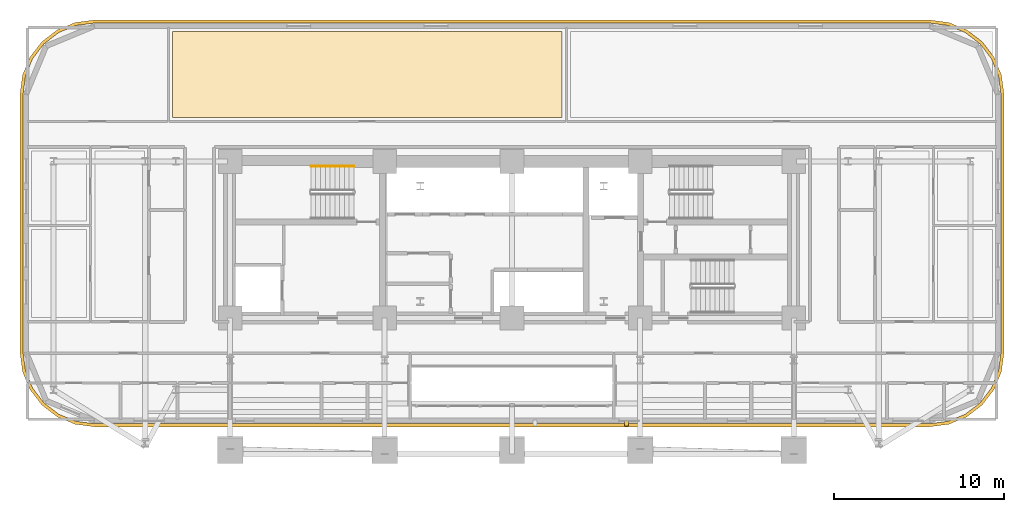
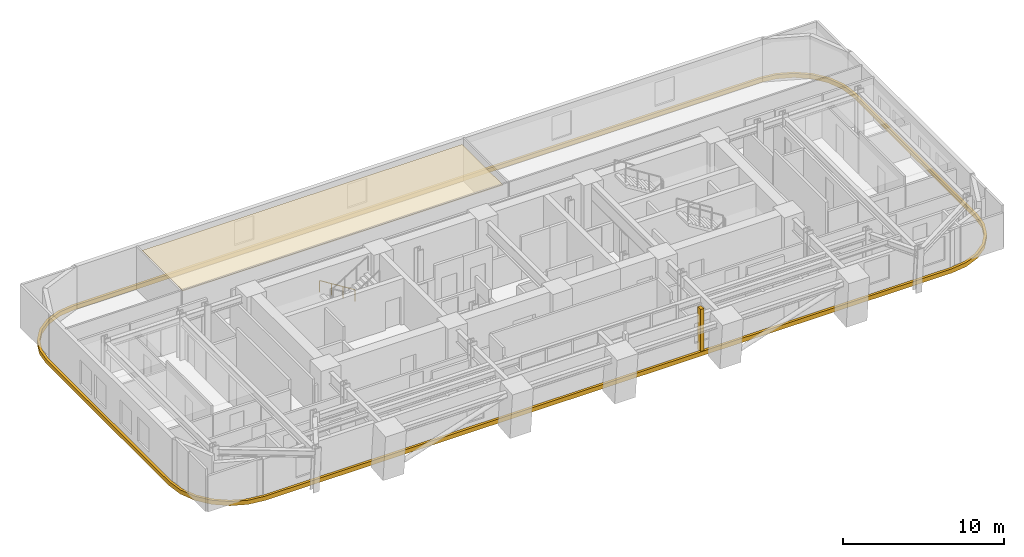
# One storey, part 14 of 15: 3 coverings, 1 railing.
"""IFC4 building model written with IfcOpenShell, lengths in metres."""

from ifc_helpers import new_model, si_unit, direction, frame, origin, origin_2d, place, context, subcontext, project, spatial, polyline, rectangle, outline, extrude, material, layer, layer_set, type_object, element, save


model = new_model("IFC4")

# Units and contexts
model_context = context("Model", 3, precision=1e-05, world=origin(), true_north=direction((0.0, 1.0)))
body_context = subcontext(model_context, "Body", "Model", "MODEL_VIEW")
ifc_project = project(units=[si_unit("LENGTHUNIT", "METRE"), si_unit("AREAUNIT", "SQUARE_METRE"), si_unit("VOLUMEUNIT", "CUBIC_METRE"), si_unit("PLANEANGLEUNIT", "RADIAN"), si_unit("MASSUNIT", "GRAM", prefix="KILO")], contexts=[model_context])

# Site, building, storey
site_placement = place(None, origin())
site = spatial("IfcSite", under=ifc_project, at=site_placement, CompositionType="ELEMENT")
building_placement = place(site_placement, origin())
building = spatial("IfcBuilding", under=site, at=building_placement, Name="Zarnavel Station Tower", CompositionType="ELEMENT")
storey_placement = place(building_placement, frame((0.0, 0.0, 67.5)))
storey = spatial("IfcBuildingStorey", under=building, at=storey_placement, Name="L18", CompositionType="ELEMENT", Elevation=67.5)

# Coverings
ifc_material_1 = material(Name="Perforated Gypsum and Mineral-Wool Acoustic Ceiling", Category="concrete")
ifc_layer = layer(ifc_material_1, 0.0400390625)
ifc_layer_set = layer_set([ifc_layer], Name="COV_CEIL_ACOUSTIC")
covering_type_1 = type_object("IfcCoveringType", Name="COV_CEIL_ACOUSTIC", PredefinedType="CEILING", material=ifc_layer_set)
covering_1_placement = place(storey_placement, frame((0.0, 0.0, 2.919921875)))
element("IfcCovering", 1, at=covering_1_placement, inside=storey, type_object=covering_type_1, Name="L18 NL5A Acoustic Ceiling", PredefinedType="CEILING", context=body_context, shape_type="SweptSolid", body=[
    extrude(outline(polyline([(8.81005859375, 39.64990234375), (31.75, 39.64990234375), (31.75, 44.68994140625), (8.81005859375, 44.68994140625), (8.81005859375, 39.64990234375)])), origin(), (0.0, 0.0, 1.0), 0.0400390625),
])
ifc_material_2 = material(Name="Precast concrete C45/55 (Pale Travertine Slab Band)", Category="masonry")
covering_type_2 = type_object("IfcCoveringType", Name="COV_TRAVERTINE_BAND", PredefinedType="CLADDING", material=ifc_material_2)
covering_2_placement = place(storey_placement, frame((0.0, 0.0, -0.260009765625)))
element("IfcCovering", 2, at=covering_2_placement, inside=storey, type_object=covering_type_2, Name="L18 Pale Travertine Slab-Edge Band", PredefinedType="CLADDING", context=body_context, shape_type="SweptSolid", body=[
    extrude(outline(polyline([(53.39990234375, 21.419921875), (54.53369140625, 21.569091796875), (55.590087890625, 22.0068359375), (56.4970703125, 22.702880859375), (57.193115234375, 23.610107421875), (57.630859375, 24.66650390625), (57.780029296875, 25.800048828125), (57.780029296875, 41.0), (57.630859375, 42.133544921875), (57.193115234375, 43.18994140625), (56.4970703125, 44.09716796875), (55.590087890625, 44.793212890625), (54.53369140625, 45.230712890625), (53.39990234375, 45.3798828125), (4.199951171875, 45.3798828125), (3.06640625, 45.230712890625), (2.010009765625, 44.793212890625), (1.102783203125, 44.09716796875), (0.40673828125, 43.18994140625), (-0.03076171875, 42.133544921875), (-0.179931640625, 41.0), (-0.179931640625, 25.800048828125), (-0.03076171875, 24.66650390625), (0.40673828125, 23.610107421875), (1.102783203125, 22.702880859375), (2.010009765625, 22.0068359375), (3.06640625, 21.569091796875), (4.199951171875, 21.419921875), (53.39990234375, 21.419921875)]), holes=[polyline([(53.39990234375, 21.60009765625), (54.487060546875, 21.7431640625), (55.5, 22.16259765625), (56.369873046875, 22.830078125), (57.037353515625, 23.699951171875), (57.456787109375, 24.712890625), (57.60009765625, 25.800048828125), (57.60009765625, 41.0), (57.456787109375, 42.0869140625), (57.037353515625, 43.10009765625), (56.369873046875, 43.9697265625), (55.5, 44.63720703125), (54.487060546875, 45.056884765625), (53.39990234375, 45.199951171875), (4.199951171875, 45.199951171875), (3.113037109375, 45.056884765625), (2.10009765625, 44.63720703125), (1.230224609375, 43.9697265625), (0.562744140625, 43.10009765625), (0.14306640625, 42.0869140625), (0.0, 41.0), (0.0, 25.800048828125), (0.14306640625, 24.712890625), (0.562744140625, 23.699951171875), (1.230224609375, 22.830078125), (2.10009765625, 22.16259765625), (3.113037109375, 21.7431640625), (4.199951171875, 21.60009765625), (53.39990234375, 21.60009765625)])]), origin(), (0.0, 0.0, 1.0), 0.320068359375),
])
covering_3_placement = place(storey_placement, frame((35.550048828125, 21.64990234375, 0.0), z_axis=(0.0, 0.0, 1.0), x_axis=(1.0, 0.0, 0.0)))
element("IfcCovering", 3, at=covering_3_placement, inside=storey, type_object=covering_type_2, Name="L18 Travertine Portal Loggia Vertical Jog East", PredefinedType="CLADDING", context=body_context, shape_type="SweptSolid", body=[
    extrude(rectangle(XDim=0.239990234375, YDim=0.360107421875, at=origin_2d()), origin(), (0.0, 0.0, 1.0), 3.239990234375),
])

# Railing
ifc_material_3 = material(Name="Brushed Stainless Steel S355J2 Handrail", Category="steel")
railing_type = type_object("IfcRailingType", Name="HR_STAIR_900", PredefinedType="HANDRAIL", material=ifc_material_3)
railing_placement = place(storey_placement, frame((19.47998046875, 36.77001953125, 0.175048828125)))
element("IfcRailing", 4, at=railing_placement, inside=storey, type_object=railing_type, Name="L18 ST1 stair handrail 1", PredefinedType="HANDRAIL", context=body_context, shape_type="SweptSolid", body=[
    extrude(rectangle(XDim=0.048095703125, YDim=0.048095703125, at=origin_2d()), frame((-0.001708984375, 0.0, 0.876953125), z_axis=(-0.848007534815, 0.0, 0.529984170421), x_axis=(0.0, -1.0, 0.0)), (0.0, 0.0, 1.0), 2.9677734375),
    extrude(rectangle(XDim=0.0419921875, YDim=0.0419921875, at=origin_2d()), origin(), (0.0, 0.0, 1.0), 0.851806640625),
    extrude(rectangle(XDim=0.0419921875, YDim=0.0419921875, at=origin_2d()), frame((-0.840087890625, 0.0, 0.52490234375)), (0.0, 0.0, 1.0), 0.851806640625),
    extrude(rectangle(XDim=0.0419921875, YDim=0.0419921875, at=origin_2d()), frame((-1.679931640625, 0.0, 1.050048828125)), (0.0, 0.0, 1.0), 0.851806640625),
    extrude(rectangle(XDim=0.0419921875, YDim=0.0419921875, at=origin_2d()), frame((-2.52001953125, 0.0, 1.574951171875)), (0.0, 0.0, 1.0), 0.851806640625),
])

save(model, "model.ifc")
